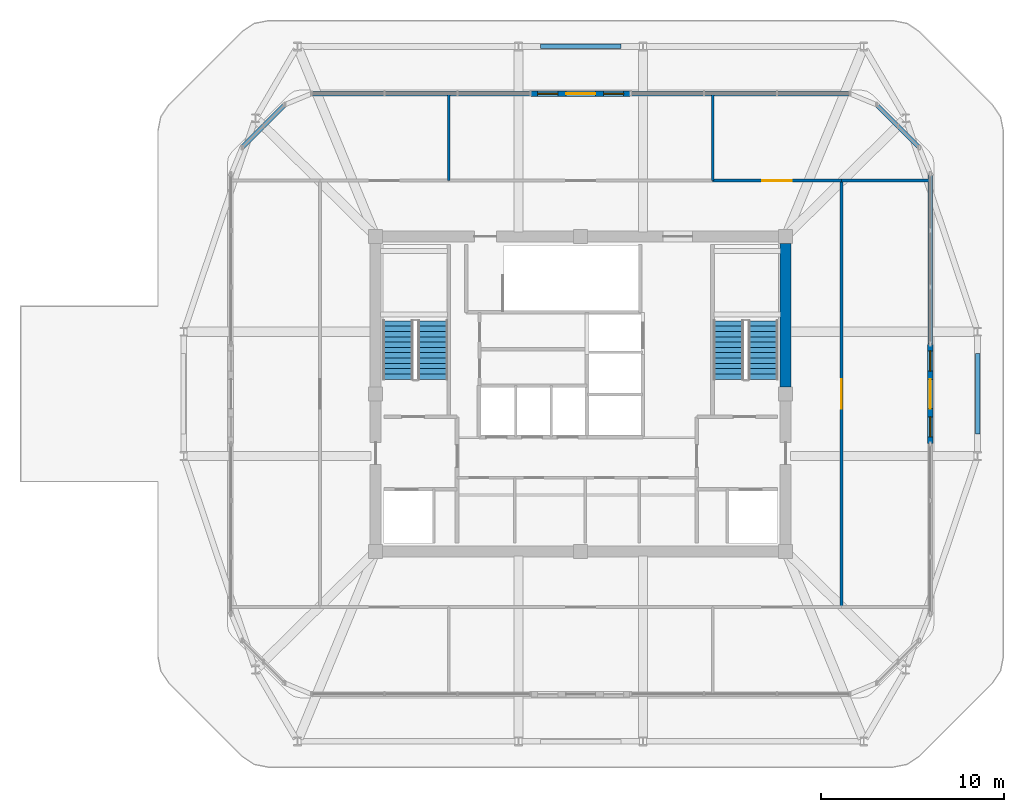
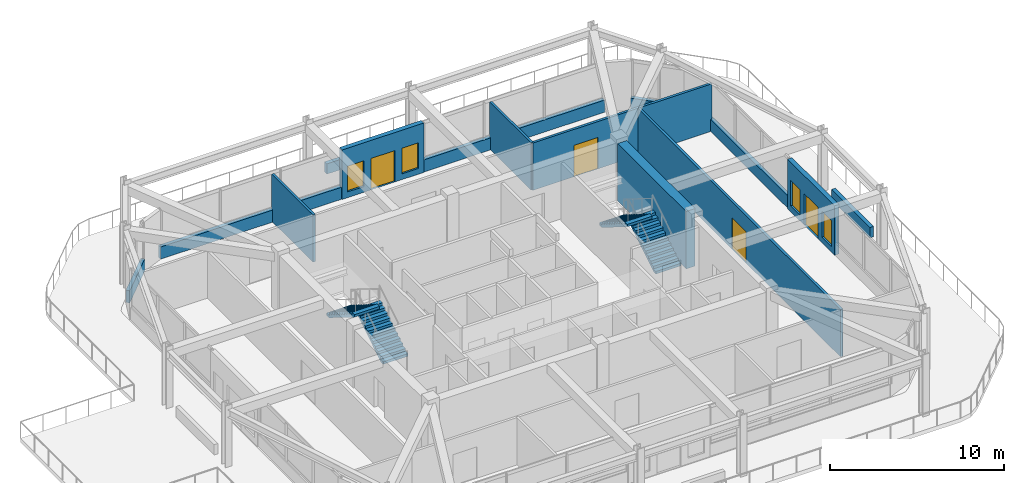
# One storey, part 7 of 10: 15 walls, 4 doors, 4 stair flights, 4 windows, 8 openings, 2 elements without a shape of their own.
"""IFC4 building model written with IfcOpenShell, lengths in metres."""

from ifc_helpers import new_model, si_unit, derived_unit, direction, frame, frame_2d, origin, place, context, subcontext, project, spatial, polyline, rectangle, outline, extrude, material, layer, layer_set, type_object, element, fill, aggregate, save


model = new_model("IFC4")

# Units and contexts
model_context = context("Model", 3, precision=1e-05, world=origin(), true_north=direction((0.0, 1.0)))
body_context = subcontext(model_context, "Body", "Model", "MODEL_VIEW")
ifc_project = project(units=[si_unit("LENGTHUNIT", "METRE"), si_unit("AREAUNIT", "SQUARE_METRE"), si_unit("VOLUMEUNIT", "CUBIC_METRE"), si_unit("PLANEANGLEUNIT", "RADIAN"), si_unit("MASSUNIT", "GRAM", prefix="KILO"), derived_unit("THERMALTRANSMITTANCEUNIT", [(si_unit("POWERUNIT", "WATT"), 1), (si_unit("LENGTHUNIT", "METRE"), -2), (si_unit("THERMODYNAMICTEMPERATUREUNIT", "KELVIN"), -1)])], contexts=[model_context])

# Site, building, storey
site_placement = place(None, origin())
site = spatial("IfcSite", under=ifc_project, at=site_placement, CompositionType="ELEMENT")
building_placement = place(site_placement, origin())
building = spatial("IfcBuilding", under=site, at=building_placement, Name="Koralith Skygarden Medical Center", CompositionType="ELEMENT")
storey_placement = place(building_placement, frame((0.0, 0.0, 294.659912109375)))
storey = spatial("IfcBuildingStorey", under=building, at=storey_placement, Name="L76", CompositionType="ELEMENT", Elevation=294.659912109375)

# Walls
ifc_material_1 = material(Name="Gypsum Board Partition")
ifc_layer_1 = layer(ifc_material_1, 0.14990234375)
ifc_layer_set_1 = layer_set([ifc_layer_1], Name="Gypsum Board Partition")
wall_type_1 = type_object("IfcWallType", Name="Clinical Acoustic Partition 150", PredefinedType="PARTITIONING", material=ifc_layer_set_1)
for number, where, z_axis, x_axis, name in (
    (1, (29.7880859375, 37.550048828125, 0.0), (0.0, 0.0, 1.0), (0.0, 1.0, 0.0), "L76 Clinical Acoustic Partition 150 W-CRPART-L76-N-1"),
    (2, (44.2119140625, 37.550048828125, 0.0), (0.0, 0.0, 1.0), (0.0, 1.0, 0.0), "L76 Clinical Acoustic Partition 150 W-CRPART-L76-N-2"),
):
    element("IfcWall", number, at=place(storey_placement, frame(where, z_axis=z_axis, x_axis=x_axis)), inside=storey, type_object=wall_type_1, Name=name, PredefinedType="PARTITIONING", context=body_context, shape_type="SweptSolid", body=[
        extrude(rectangle(XDim=4.72998046875, YDim=0.14990234375, at=frame_2d((2.364990234375, 0.0))), origin(), (0.0, 0.0, 1.0), 3.31005859375),
    ])
ifc_layer_2 = layer(ifc_material_1, 0.1650390625)
ifc_layer_set_2 = layer_set([ifc_layer_2], Name="Gypsum Board Partition")
wall_type_2 = type_object("IfcWallType", Name="Clinical Corridor Partition 165", PredefinedType="PARTITIONING", material=ifc_layer_set_2)
wall_1_placement = place(storey_placement, frame((51.25, 37.550048828125, 0.0), z_axis=(0.0, 0.0, 1.0), x_axis=(1.0, 0.0, 0.0)))
element("IfcWall", 3, at=wall_1_placement, inside=storey, type_object=wall_type_2, Name="L76 Clinical Corridor Partition 165 W-WB-L76-NE", PredefinedType="PARTITIONING", context=body_context, shape_type="SweptSolid", body=[
    extrude(rectangle(XDim=4.830078125, YDim=0.1650390625, at=frame_2d((2.4150390625, 0.0))), origin(), (0.0, 0.0, 1.0), 3.31005859375),
])

# Wall, opening, door
wall_2_placement = place(storey_placement, frame((44.2119140625, 37.550048828125, 0.0), z_axis=(0.0, 0.0, 1.0), x_axis=(1.0, 0.0, 0.0)))
wall_2 = element("IfcWall", 4, at=wall_2_placement, inside=storey, type_object=wall_type_2, Name="L76 Clinical Corridor Partition 165 W-CRCOR-L76-N-3", PredefinedType="PARTITIONING", context=body_context, shape_type="SweptSolid", body=[
    extrude(rectangle(XDim=7.0380859375, YDim=0.1650390625, at=frame_2d((3.51904296875, 0.0))), origin(), (0.0, 0.0, 1.0), 3.31005859375),
])
opening_1_placement = place(wall_2_placement, frame((2.718994140625, 0.0, 0.0)))
opening_1 = element("IfcOpeningElement", 5, at=opening_1_placement, cuts=wall_2, Name="Opening D-DBL", PredefinedType="OPENING", context=body_context, shape_type="SweptSolid", body=[
    extrude(rectangle(XDim=1.60009765625, YDim=2.199951171875, at=frame_2d((0.800048828125, 1.10009765625))), frame((0.0, 0.092529296875, 0.0), z_axis=(0.0, -1.0, 0.0), x_axis=(1.0, 0.0, 0.0)), (0.0, 0.0, 1.0), 0.18505859375),
])
ifc_material_2 = material(Name="Aluminium 6063-T6", Category="aluminium")
door_type_1 = type_object("IfcDoorType", Name="Double Clinical Suite Door D-DBL 1600", OperationType="NOTDEFINED", PredefinedType="DOOR", material=ifc_material_2)
door_1_placement = place(opening_1_placement, origin())
door_1 = element("IfcDoor", 6, at=door_1_placement, inside=storey, type_object=door_type_1, Name="L76 Helipad Transfer Staging Hall Door", OperationType="DOUBLE_DOOR_SINGLE_SWING", OverallHeight=2.199951171875, OverallWidth=1.60009765625, PredefinedType="DOOR", context=body_context, shape_type="SweptSolid", body=[
    extrude(rectangle(XDim=1.60009765625, YDim=2.199951171875, at=frame_2d((0.800048828125, 1.10009765625))), frame((0.0, 0.02490234375, 0.0), z_axis=(0.0, -1.0, 0.0), x_axis=(1.0, 0.0, 0.0)), (0.0, 0.0, 1.0), 0.050048828125),
])
fill(opening_1, door_1)

wall_3_placement = place(storey_placement, frame((51.25, 14.25, 0.0), z_axis=(0.0, 0.0, 1.0), x_axis=(0.0, 1.0, 0.0)))
wall_3 = element("IfcWall", 7, at=wall_3_placement, inside=storey, type_object=wall_type_2, Name="L76 Clinical Corridor Partition 165 W-CRCOR-L76-E-1", PredefinedType="PARTITIONING", context=body_context, shape_type="SweptSolid", body=[
    extrude(rectangle(XDim=23.300048828125, YDim=0.1650390625, at=frame_2d((11.64990234375, 0.0))), origin(), (0.0, 0.0, 1.0), 3.31005859375),
])
opening_2_placement = place(wall_3_placement, frame((10.85009765625, 0.0, 0.0)))
opening_2 = element("IfcOpeningElement", 8, at=opening_2_placement, cuts=wall_3, Name="Opening D-DBL", PredefinedType="OPENING", context=body_context, shape_type="SweptSolid", body=[
    extrude(rectangle(XDim=1.60009765625, YDim=2.199951171875, at=frame_2d((0.800048828125, 1.10009765625))), frame((0.0, 0.092529296875, 0.0), z_axis=(0.0, -1.0, 0.0), x_axis=(1.0, 0.0, 0.0)), (0.0, 0.0, 1.0), 0.18505859375),
])
door_2_placement = place(opening_2_placement, origin())
door_2 = element("IfcDoor", 9, at=door_2_placement, inside=storey, type_object=door_type_1, Name="L76 East Biscayne Bay Viewing Salon Door", OperationType="DOUBLE_DOOR_SINGLE_SWING", OverallHeight=2.199951171875, OverallWidth=1.60009765625, PredefinedType="DOOR", context=body_context, shape_type="SweptSolid", body=[
    extrude(rectangle(XDim=1.60009765625, YDim=2.199951171875, at=frame_2d((0.800048828125, 1.10009765625))), frame((0.0, 0.02490234375, 0.0), z_axis=(0.0, -1.0, 0.0), x_axis=(1.0, 0.0, 0.0)), (0.0, 0.0, 1.0), 0.050048828125),
])
fill(opening_2, door_2)

# Walls
ifc_material_3 = material(Name="Warm Oolitic Limestone Cladding", Category="masonry")
ifc_layer_3 = layer(ifc_material_3, 0.239990234375)
ifc_layer_set_3 = layer_set([ifc_layer_3], Name="Warm Oolitic Limestone Cladding")
wall_type_3 = type_object("IfcWallType", Name="Limestone Spandrel Sill Backup Wall 240", PredefinedType="SOLIDWALL", material=ifc_layer_set_3)
wall_4_placement = place(storey_placement, frame((56.10009765625, 28.639892578125, 0.0), z_axis=(0.0, 0.0, 1.0), x_axis=(0.0, 1.0, 0.0)))
element("IfcWall", 10, at=wall_4_placement, inside=storey, type_object=wall_type_3, Name="L76 Sill Spandrel E-R", PredefinedType="SOLIDWALL", context=body_context, shape_type="SweptSolid", body=[
    extrude(rectangle(XDim=9.26708984375, YDim=0.239990234375, at=frame_2d((4.633544921875, 0.0))), origin(), (0.0, 0.0, 1.0), 0.85009765625),
])
wall_5_placement = place(storey_placement, frame((55.4990234375, 39.35791015625, 0.0), z_axis=(0.0, 0.0, 1.0), x_axis=(-0.707106781187, 0.707106781187, 0.0)))
element("IfcWall", 11, at=wall_5_placement, inside=storey, type_object=wall_type_3, Name="L76 Sill Spandrel NE", PredefinedType="SOLIDWALL", context=body_context, shape_type="SweptSolid", body=[
    extrude(rectangle(XDim=3.310791015625, YDim=0.239990234375, at=frame_2d((1.6552734375, 0.0))), origin(), (0.0, 0.0, 1.0), 0.85009765625),
])
for number, where, z_axis, x_axis, name in (
    (12, (51.70703125, 42.300048828125, 0.0), (0.0, 0.0, 1.0), (-1.0, 0.0, 0.0), "L76 Sill Spandrel N-L"),
    (13, (34.260009765625, 42.300048828125, 0.0), (0.0, 0.0, 1.0), (-1.0, 0.0, 0.0), "L76 Sill Spandrel N-R"),
):
    element("IfcWall", number, at=place(storey_placement, frame(where, z_axis=z_axis, x_axis=x_axis)), inside=storey, type_object=wall_type_3, Name=name, PredefinedType="SOLIDWALL", context=body_context, shape_type="SweptSolid", body=[
        extrude(rectangle(XDim=11.967041015625, YDim=0.239990234375, at=frame_2d((5.9833984375, 0.0))), origin(), (0.0, 0.0, 1.0), 0.85009765625),
    ])
wall_6_placement = place(storey_placement, frame((20.842041015625, 41.698974609375, 0.0), z_axis=(0.0, 0.0, 1.0), x_axis=(-0.707106781187, -0.707106781187, 0.0)))
element("IfcWall", 14, at=wall_6_placement, inside=storey, type_object=wall_type_3, Name="L76 Sill Spandrel NW", PredefinedType="SOLIDWALL", context=body_context, shape_type="SweptSolid", body=[
    extrude(rectangle(XDim=3.310791015625, YDim=0.239990234375, at=frame_2d((1.6552734375, 0.0))), origin(), (0.0, 0.0, 1.0), 0.85009765625),
])

# Wall, openings, door, windows
ifc_layer_4 = layer(ifc_material_3, 0.300048828125)
ifc_layer_set_4 = layer_set([ifc_layer_4], Name="Warm Oolitic Limestone Cladding")
wall_type_4 = type_object("IfcWallType", Name="Oolitic Limestone Insulated Facade Wall 300", PredefinedType="SOLIDWALL", material=ifc_layer_set_4)
wall_7_placement = place(storey_placement, frame((56.10009765625, 23.199951171875, 0.0), z_axis=(0.0, 0.0, 1.0), x_axis=(0.0, 1.0, 0.0)))
wall_7 = element("IfcWall", 15, at=wall_7_placement, inside=storey, type_object=wall_type_4, Name="L76 Terrace Portal Wall E", PredefinedType="SOLIDWALL", context=body_context, shape_type="SweptSolid", body=[
    extrude(rectangle(XDim=5.400146484375, YDim=0.300048828125, at=frame_2d((2.7001953125, 0.0))), origin(), (0.0, 0.0, 1.0), 3.460205078125),
])
opening_3_placement = place(wall_7_placement, frame((1.89990234375, 0.0, 0.0)))
opening_3 = element("IfcOpeningElement", 16, at=opening_3_placement, cuts=wall_7, Name="Opening D-OBS", PredefinedType="OPENING", context=body_context, shape_type="SweptSolid", body=[
    extrude(rectangle(XDim=1.60009765625, YDim=2.199951171875, at=frame_2d((0.800048828125, 1.10009765625))), frame((0.0, 0.159912109375, 0.0), z_axis=(0.0, -1.0, 0.0), x_axis=(1.0, 0.0, 0.0)), (0.0, 0.0, 1.0), 0.320068359375),
])
opening_4_placement = place(wall_7_placement, frame((0.35009765625, 0.0, 0.39990234375)))
opening_4 = element("IfcOpeningElement", 17, at=opening_4_placement, cuts=wall_7, Name="Opening W-04", PredefinedType="OPENING", context=body_context, shape_type="SweptSolid", body=[
    extrude(rectangle(XDim=1.10009765625, YDim=1.800048828125, at=frame_2d((0.550048828125, 0.89990234375))), frame((0.0, 0.159912109375, 0.0), z_axis=(0.0, -1.0, 0.0), x_axis=(1.0, 0.0, 0.0)), (0.0, 0.0, 1.0), 0.320068359375),
])
opening_5_placement = place(wall_7_placement, frame((3.949951171875, 0.0, 0.39990234375)))
opening_5 = element("IfcOpeningElement", 18, at=opening_5_placement, cuts=wall_7, Name="Opening W-04", PredefinedType="OPENING", context=body_context, shape_type="SweptSolid", body=[
    extrude(rectangle(XDim=1.10009765625, YDim=1.800048828125, at=frame_2d((0.550048828125, 0.89990234375))), frame((0.0, 0.159912109375, 0.0), z_axis=(0.0, -1.0, 0.0), x_axis=(1.0, 0.0, 0.0)), (0.0, 0.0, 1.0), 0.320068359375),
])
door_type_2 = type_object("IfcDoorType", Name="Observation Deck Terrace Door D-OBS 1600", OperationType="NOTDEFINED", PredefinedType="DOOR", material=ifc_material_2)
door_3_placement = place(opening_3_placement, origin())
door_3 = element("IfcDoor", 19, at=door_3_placement, inside=storey, type_object=door_type_2, Name="L76 E Outdoor Terrace Access Door", OperationType="DOUBLE_DOOR_SINGLE_SWING", OverallHeight=2.199951171875, OverallWidth=1.60009765625, PredefinedType="DOOR", context=body_context, shape_type="SweptSolid", body=[
    extrude(rectangle(XDim=1.60009765625, YDim=2.199951171875, at=frame_2d((0.800048828125, 1.10009765625))), frame((0.0, 0.02490234375, 0.0), z_axis=(0.0, -1.0, 0.0), x_axis=(1.0, 0.0, 0.0)), (0.0, 0.0, 1.0), 0.050048828125),
])
fill(opening_3, door_3)
ifc_material_4 = material(Name="Clear Laminated Glass", Category="glass")
window_type = type_object("IfcWindowType", Name="Sky-Garden Portal Sidelight Window W-04 1100x1800", PartitioningType="SINGLE_PANEL", PredefinedType="WINDOW", material=ifc_material_4)
window_1_placement = place(opening_4_placement, origin())
window_1 = element("IfcWindow", 20, at=window_1_placement, inside=storey, type_object=window_type, Name="L76 E Portal Sidelight 1", OverallHeight=1.800048828125, OverallWidth=1.10009765625, PartitioningType="SINGLE_PANEL", PredefinedType="WINDOW", context=body_context, shape_type="SweptSolid", body=[
    extrude(rectangle(XDim=1.10009765625, YDim=1.800048828125, at=frame_2d((0.550048828125, 0.89990234375))), frame((0.0, 0.030029296875, 0.0), z_axis=(0.0, -1.0, 0.0), x_axis=(1.0, 0.0, 0.0)), (0.0, 0.0, 1.0), 0.06005859375),
])
fill(opening_4, window_1)
window_2_placement = place(opening_5_placement, origin())
window_2 = element("IfcWindow", 21, at=window_2_placement, inside=storey, type_object=window_type, Name="L76 E Portal Sidelight 2", OverallHeight=1.800048828125, OverallWidth=1.10009765625, PartitioningType="SINGLE_PANEL", PredefinedType="WINDOW", context=body_context, shape_type="SweptSolid", body=[
    extrude(rectangle(XDim=1.10009765625, YDim=1.800048828125, at=frame_2d((0.550048828125, 0.89990234375))), frame((0.0, 0.030029296875, 0.0), z_axis=(0.0, -1.0, 0.0), x_axis=(1.0, 0.0, 0.0)), (0.0, 0.0, 1.0), 0.06005859375),
])
fill(opening_5, window_2)

wall_8_placement = place(storey_placement, frame((39.699951171875, 42.300048828125, 0.0), z_axis=(0.0, 0.0, 1.0), x_axis=(-1.0, 0.0, 0.0)))
wall_8 = element("IfcWall", 22, at=wall_8_placement, inside=storey, type_object=wall_type_4, Name="L76 Terrace Portal Wall N", PredefinedType="SOLIDWALL", context=body_context, shape_type="SweptSolid", body=[
    extrude(rectangle(XDim=5.39990234375, YDim=0.300048828125, at=frame_2d((2.699951171875, 0.0))), origin(), (0.0, 0.0, 1.0), 3.460205078125),
])
opening_6_placement = place(wall_8_placement, frame((1.89990234375, 0.0, 0.0)))
opening_6 = element("IfcOpeningElement", 23, at=opening_6_placement, cuts=wall_8, Name="Opening D-OBS", PredefinedType="OPENING", context=body_context, shape_type="SweptSolid", body=[
    extrude(rectangle(XDim=1.60009765625, YDim=2.199951171875, at=frame_2d((0.800048828125, 1.10009765625))), frame((0.0, 0.159912109375, 0.0), z_axis=(0.0, -1.0, 0.0), x_axis=(1.0, 0.0, 0.0)), (0.0, 0.0, 1.0), 0.320068359375),
])
opening_7_placement = place(wall_8_placement, frame((0.35009765625, 0.0, 0.39990234375)))
opening_7 = element("IfcOpeningElement", 24, at=opening_7_placement, cuts=wall_8, Name="Opening W-04", PredefinedType="OPENING", context=body_context, shape_type="SweptSolid", body=[
    extrude(rectangle(XDim=1.10009765625, YDim=1.800048828125, at=frame_2d((0.550048828125, 0.89990234375))), frame((0.0, 0.159912109375, 0.0), z_axis=(0.0, -1.0, 0.0), x_axis=(1.0, 0.0, 0.0)), (0.0, 0.0, 1.0), 0.320068359375),
])
opening_8_placement = place(wall_8_placement, frame((3.949951171875, 0.0, 0.39990234375)))
opening_8 = element("IfcOpeningElement", 25, at=opening_8_placement, cuts=wall_8, Name="Opening W-04", PredefinedType="OPENING", context=body_context, shape_type="SweptSolid", body=[
    extrude(rectangle(XDim=1.10009765625, YDim=1.800048828125, at=frame_2d((0.550048828125, 0.89990234375))), frame((0.0, 0.159912109375, 0.0), z_axis=(0.0, -1.0, 0.0), x_axis=(1.0, 0.0, 0.0)), (0.0, 0.0, 1.0), 0.320068359375),
])
door_4_placement = place(opening_6_placement, origin())
door_4 = element("IfcDoor", 26, at=door_4_placement, inside=storey, type_object=door_type_2, Name="L76 N Outdoor Terrace Access Door", OperationType="DOUBLE_DOOR_SINGLE_SWING", OverallHeight=2.199951171875, OverallWidth=1.60009765625, PredefinedType="DOOR", context=body_context, shape_type="SweptSolid", body=[
    extrude(rectangle(XDim=1.60009765625, YDim=2.199951171875, at=frame_2d((0.800048828125, 1.10009765625))), frame((0.0, 0.02490234375, 0.0), z_axis=(0.0, -1.0, 0.0), x_axis=(1.0, 0.0, 0.0)), (0.0, 0.0, 1.0), 0.050048828125),
])
fill(opening_6, door_4)
window_3_placement = place(opening_7_placement, origin())
window_3 = element("IfcWindow", 27, at=window_3_placement, inside=storey, type_object=window_type, Name="L76 N Portal Sidelight 1", OverallHeight=1.800048828125, OverallWidth=1.10009765625, PartitioningType="SINGLE_PANEL", PredefinedType="WINDOW", context=body_context, shape_type="SweptSolid", body=[
    extrude(rectangle(XDim=1.10009765625, YDim=1.800048828125, at=frame_2d((0.550048828125, 0.89990234375))), frame((0.0, 0.030029296875, 0.0), z_axis=(0.0, -1.0, 0.0), x_axis=(1.0, 0.0, 0.0)), (0.0, 0.0, 1.0), 0.06005859375),
])
fill(opening_7, window_3)
window_4_placement = place(opening_8_placement, origin())
window_4 = element("IfcWindow", 28, at=window_4_placement, inside=storey, type_object=window_type, Name="L76 N Portal Sidelight 2", OverallHeight=1.800048828125, OverallWidth=1.10009765625, PartitioningType="SINGLE_PANEL", PredefinedType="WINDOW", context=body_context, shape_type="SweptSolid", body=[
    extrude(rectangle(XDim=1.10009765625, YDim=1.800048828125, at=frame_2d((0.550048828125, 0.89990234375))), frame((0.0, 0.030029296875, 0.0), z_axis=(0.0, -1.0, 0.0), x_axis=(1.0, 0.0, 0.0)), (0.0, 0.0, 1.0), 0.06005859375),
])
fill(opening_8, window_4)

# Walls
ifc_material_5 = material(Name="Precast concrete C40/50", Category="concrete")
ifc_layer_5 = layer(ifc_material_5, 0.25)
ifc_layer_set_5 = layer_set([ifc_layer_5], Name="Precast concrete C40/50")
wall_type_5 = type_object("IfcWallType", Name="Structural Concrete Balcony Planter Kerb 250", PredefinedType="PARAPET", material=ifc_layer_set_5)
wall_9_placement = place(storey_placement, frame((58.699951171875, 23.699951171875, 0.0), z_axis=(0.0, 0.0, 1.0), x_axis=(0.0, 1.0, 0.0)))
element("IfcWall", 29, at=wall_9_placement, inside=storey, type_object=wall_type_5, Name="L76 Observation Deck Tree PLANTER E", PredefinedType="PARAPET", context=body_context, shape_type="SweptSolid", body=[
    extrude(rectangle(XDim=4.400146484375, YDim=0.25, at=frame_2d((2.2001953125, 0.0))), origin(), (0.0, 0.0, 1.0), 0.719970703125),
])
wall_10_placement = place(storey_placement, frame((39.199951171875, 44.89990234375, 0.0), z_axis=(0.0, 0.0, 1.0), x_axis=(-1.0, 0.0, 0.0)))
element("IfcWall", 30, at=wall_10_placement, inside=storey, type_object=wall_type_5, Name="L76 Observation Deck Tree PLANTER N", PredefinedType="PARAPET", context=body_context, shape_type="SweptSolid", body=[
    extrude(rectangle(XDim=4.39990234375, YDim=0.25, at=frame_2d((2.199951171875, 0.0))), origin(), (0.0, 0.0, 1.0), 0.719970703125),
])
ifc_material_6 = material(Name="Concrete C55/67", Category="concrete")
ifc_layer_6 = layer(ifc_material_6, 0.60009765625)
ifc_layer_set_6 = layer_set([ifc_layer_6], Name="Concrete C55/67")
wall_type_6 = type_object("IfcWallType", Name="Upper Core Shear Wall 600", PredefinedType="SHEAR", material=ifc_layer_set_6)
wall_11_placement = place(storey_placement, frame((48.199951171875, 26.27490234375, 0.0), z_axis=(0.0, 0.0, 1.0), x_axis=(0.0, 1.0, 0.0)))
element("IfcWall", 31, at=wall_11_placement, inside=storey, type_object=wall_type_6, Name="L76 Core Shear Wall Segment 4", PredefinedType="SHEAR", context=body_context, shape_type="SweptSolid", body=[
    extrude(rectangle(XDim=7.85009765625, YDim=0.60009765625, at=frame_2d((3.925048828125, 0.0))), origin(), (0.0, 0.0, 1.0), 4.02001953125),
])

# Stair, stair flights
ifc_material_7 = material(Name="Concrete C45/55", Category="concrete")
stair_type = type_object("IfcStairType", Name="Core Exit Dogleg Concrete Stair", PredefinedType="HALF_TURN_STAIR", material=ifc_material_7)
stair_1_placement = place(storey_placement, origin())
stair_1 = element("IfcStair", 32, at=stair_1_placement, inside=storey, type_object=stair_type, Name="L76 Smokeproof Exit Stair ST1", PredefinedType="HALF_TURN_STAIR")
stair_flight_type = type_object("IfcStairFlightType", Name="Core Exit Concrete Stair Flight 1650", PredefinedType="STRAIGHT", material=ifc_material_7)
stair_flight_1_placement = place(storey_placement, frame((28.925048828125, 26.699951171875, 0.0), z_axis=(0.0, 0.0, 1.0), x_axis=(0.0, 1.0, 0.0)))
stair_flight_1 = element("IfcStairFlight", 33, at=stair_flight_1_placement, type_object=stair_flight_type, Name="ST1 flight 1", NumberOfRisers=12, NumberOfTreads=11, PredefinedType="STRAIGHT", RiserHeight=0.18, TreadLength=0.29, context=body_context, shape_type="SweptSolid", body=[
    extrude(outline(polyline([(0.0, 0.0), (0.0, 0.179931640625), (0.2900390625, 0.179931640625), (0.2900390625, 0.360107421875), (0.580078125, 0.360107421875), (0.580078125, 0.5400390625), (0.8701171875, 0.5400390625), (0.8701171875, 0.719970703125), (1.159912109375, 0.719970703125), (1.159912109375, 0.89990234375), (1.449951171875, 0.89990234375), (1.449951171875, 1.080078125), (1.739990234375, 1.080078125), (1.739990234375, 1.260009765625), (2.030029296875, 1.260009765625), (2.030029296875, 1.43994140625), (2.320068359375, 1.43994140625), (2.320068359375, 1.6201171875), (2.610107421875, 1.6201171875), (2.610107421875, 1.800048828125), (2.89990234375, 1.800048828125), (2.89990234375, 1.97998046875), (3.18994140625, 1.97998046875), (3.18994140625, 2.159912109375), (3.18994140625, 1.803466796875), (0.2841796875, 0.0), (0.0, 0.0)])), frame((0.0, 0.824951171875, 0.0), z_axis=(0.0, -1.0, 0.0), x_axis=(1.0, 0.0, 0.0)), (0.0, 0.0, 1.0), 1.64990234375),
])
stair_flight_2_placement = place(storey_placement, frame((27.02490234375, 29.889892578125, 2.16015625), z_axis=(0.0, 0.0, 1.0), x_axis=(0.0, -1.0, 0.0)))
stair_flight_2 = element("IfcStairFlight", 34, at=stair_flight_2_placement, type_object=stair_flight_type, Name="ST1 flight 2", NumberOfRisers=12, NumberOfTreads=11, PredefinedType="STRAIGHT", RiserHeight=0.18, TreadLength=0.29, context=body_context, shape_type="SweptSolid", body=[
    extrude(outline(polyline([(0.0, 0.0), (0.0, 0.179931640625), (0.2900390625, 0.179931640625), (0.2900390625, 0.360107421875), (0.580078125, 0.360107421875), (0.580078125, 0.5400390625), (0.8701171875, 0.5400390625), (0.8701171875, 0.719970703125), (1.159912109375, 0.719970703125), (1.159912109375, 0.89990234375), (1.449951171875, 0.89990234375), (1.449951171875, 1.080078125), (1.739990234375, 1.080078125), (1.739990234375, 1.260009765625), (2.030029296875, 1.260009765625), (2.030029296875, 1.43994140625), (2.320068359375, 1.43994140625), (2.320068359375, 1.6201171875), (2.610107421875, 1.6201171875), (2.610107421875, 1.800048828125), (2.89990234375, 1.800048828125), (2.89990234375, 1.97998046875), (3.18994140625, 1.97998046875), (3.18994140625, 2.159912109375), (3.18994140625, 1.803466796875), (0.2841796875, 0.0), (0.0, 0.0)])), frame((0.0, 0.824951171875, 0.0), z_axis=(0.0, -1.0, 0.0), x_axis=(1.0, 0.0, 0.0)), (0.0, 0.0, 1.0), 1.64990234375),
])
aggregate(stair_1, [stair_flight_1, stair_flight_2])

stair_2_placement = place(storey_placement, origin())
stair_2 = element("IfcStair", 35, at=stair_2_placement, inside=storey, type_object=stair_type, Name="L76 Smokeproof Exit Stair ST2", PredefinedType="HALF_TURN_STAIR")
stair_flight_3_placement = place(storey_placement, frame((46.97509765625, 26.699951171875, 0.0), z_axis=(0.0, 0.0, 1.0), x_axis=(0.0, 1.0, 0.0)))
stair_flight_3 = element("IfcStairFlight", 36, at=stair_flight_3_placement, type_object=stair_flight_type, Name="ST2 flight 1", NumberOfRisers=12, NumberOfTreads=11, PredefinedType="STRAIGHT", RiserHeight=0.18, TreadLength=0.29, context=body_context, shape_type="SweptSolid", body=[
    extrude(outline(polyline([(0.0, 0.0), (0.0, 0.179931640625), (0.2900390625, 0.179931640625), (0.2900390625, 0.360107421875), (0.580078125, 0.360107421875), (0.580078125, 0.5400390625), (0.8701171875, 0.5400390625), (0.8701171875, 0.719970703125), (1.159912109375, 0.719970703125), (1.159912109375, 0.89990234375), (1.449951171875, 0.89990234375), (1.449951171875, 1.080078125), (1.739990234375, 1.080078125), (1.739990234375, 1.260009765625), (2.030029296875, 1.260009765625), (2.030029296875, 1.43994140625), (2.320068359375, 1.43994140625), (2.320068359375, 1.6201171875), (2.610107421875, 1.6201171875), (2.610107421875, 1.800048828125), (2.89990234375, 1.800048828125), (2.89990234375, 1.97998046875), (3.18994140625, 1.97998046875), (3.18994140625, 2.159912109375), (3.18994140625, 1.803466796875), (0.2841796875, 0.0), (0.0, 0.0)])), frame((0.0, 0.824951171875, 0.0), z_axis=(0.0, -1.0, 0.0), x_axis=(1.0, 0.0, 0.0)), (0.0, 0.0, 1.0), 1.64990234375),
])
stair_flight_4_placement = place(storey_placement, frame((45.074951171875, 29.889892578125, 2.16015625), z_axis=(0.0, 0.0, 1.0), x_axis=(0.0, -1.0, 0.0)))
stair_flight_4 = element("IfcStairFlight", 37, at=stair_flight_4_placement, type_object=stair_flight_type, Name="ST2 flight 2", NumberOfRisers=12, NumberOfTreads=11, PredefinedType="STRAIGHT", RiserHeight=0.18, TreadLength=0.29, context=body_context, shape_type="SweptSolid", body=[
    extrude(outline(polyline([(0.0, 0.0), (0.0, 0.179931640625), (0.2900390625, 0.179931640625), (0.2900390625, 0.360107421875), (0.580078125, 0.360107421875), (0.580078125, 0.5400390625), (0.8701171875, 0.5400390625), (0.8701171875, 0.719970703125), (1.159912109375, 0.719970703125), (1.159912109375, 0.89990234375), (1.449951171875, 0.89990234375), (1.449951171875, 1.080078125), (1.739990234375, 1.080078125), (1.739990234375, 1.260009765625), (2.030029296875, 1.260009765625), (2.030029296875, 1.43994140625), (2.320068359375, 1.43994140625), (2.320068359375, 1.6201171875), (2.610107421875, 1.6201171875), (2.610107421875, 1.800048828125), (2.89990234375, 1.800048828125), (2.89990234375, 1.97998046875), (3.18994140625, 1.97998046875), (3.18994140625, 2.159912109375), (3.18994140625, 1.803466796875), (0.2841796875, 0.0), (0.0, 0.0)])), frame((0.0, 0.824951171875, 0.0), z_axis=(0.0, -1.0, 0.0), x_axis=(1.0, 0.0, 0.0)), (0.0, 0.0, 1.0), 1.64990234375),
])
aggregate(stair_2, [stair_flight_3, stair_flight_4])

save(model, "model.ifc")
